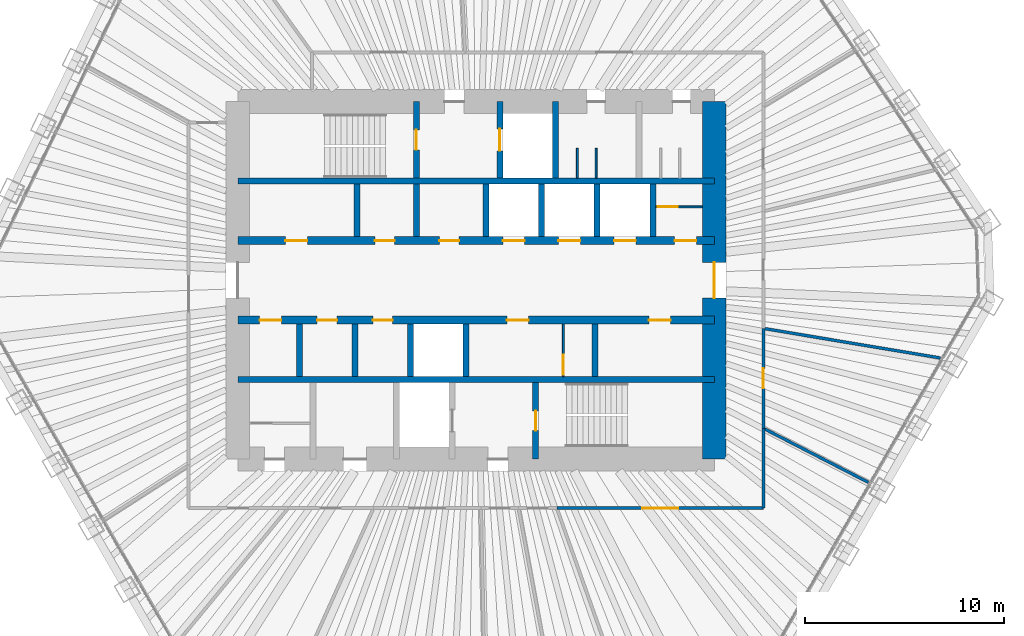
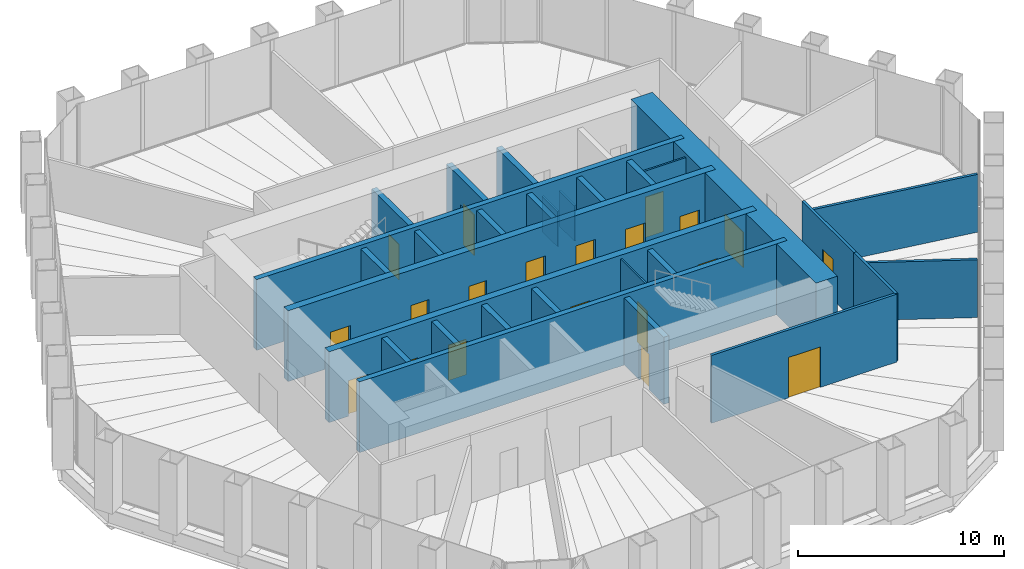
# One storey, part 11 of 13: 29 walls, 20 doors, 20 openings.
"""IFC4 building model written with IfcOpenShell, lengths in metres."""

from ifc_helpers import new_model, si_unit, direction, frame, frame_2d, origin, place, context, subcontext, project, spatial, rectangle, extrude, material, layer, layer_set, type_object, element, fill, save


model = new_model("IFC4")

# Units and contexts
model_context = context("Model", 3, precision=1e-05, world=origin(), true_north=direction((0.0, 1.0)))
body_context = subcontext(model_context, "Body", "Model", "MODEL_VIEW")
ifc_project = project(units=[si_unit("LENGTHUNIT", "METRE"), si_unit("AREAUNIT", "SQUARE_METRE"), si_unit("VOLUMEUNIT", "CUBIC_METRE"), si_unit("PLANEANGLEUNIT", "RADIAN"), si_unit("MASSUNIT", "GRAM", prefix="KILO")], contexts=[model_context])

# Site, building, storey
site_placement = place(None, origin())
site = spatial("IfcSite", under=ifc_project, at=site_placement, CompositionType="ELEMENT")
building_placement = place(site_placement, origin())
building = spatial("IfcBuilding", under=site, at=building_placement, Name="Qingtian Harvest Tower", CompositionType="ELEMENT")
storey_placement = place(building_placement, frame((0.0, 0.0, 230.800048828125)))
storey = spatial("IfcBuildingStorey", under=building, at=storey_placement, Name="L50", CompositionType="ELEMENT", Elevation=230.800048828125)

# Walls
ifc_material_1 = material(Name="Concrete fc' 70 MPa", Category="concrete")
ifc_layer_1 = layer(ifc_material_1, 0.300048828125)
ifc_layer_set_1 = layer_set([ifc_layer_1], Name="Core inner wall RC5 300")
wall_type_1 = type_object("IfcWallType", Name="Core inner wall RC5 300", PredefinedType="SHEAR", material=ifc_layer_set_1)
for number, where, z_axis, x_axis, name in (
    (1, (-12.0, 5.0, 0.0), (0.0, 0.0, 1.0), (1.0, 0.0, 0.0), "Core wall IN5 L50"),
    (2, (-12.0, -5.0, 0.0), (0.0, 0.0, 1.0), (1.0, 0.0, 0.0), "Core wall IS5 L50"),
):
    element("IfcWall", number, at=place(storey_placement, frame(where, z_axis=z_axis, x_axis=x_axis)), inside=storey, type_object=wall_type_1, Name=name, PredefinedType="SHEAR", context=body_context, shape_type="SweptSolid", body=[
        extrude(rectangle(XDim=24.0, YDim=0.300048828125, at=frame_2d((12.0, 0.0))), origin(), (0.0, 0.0, 1.0), 4.199951171875),
    ])

# Wall, openings, doors
ifc_material_2 = material(Name="Concrete fc' 70 MPa", Category="concrete")
ifc_layer_2 = layer(ifc_material_2, 0.39990234375)
ifc_layer_set_2 = layer_set([ifc_layer_2], Name="Core inner web RC6 400")
wall_type_2 = type_object("IfcWallType", Name="Core inner web RC6 400", PredefinedType="SHEAR", material=ifc_layer_set_2)
wall_1_placement = place(storey_placement, frame((-12.0, 2.0, 0.0), z_axis=(0.0, 0.0, 1.0), x_axis=(1.0, 0.0, 0.0)))
wall_1 = element("IfcWall", 3, at=wall_1_placement, inside=storey, type_object=wall_type_2, Name="Core wall IN2 L50", PredefinedType="SHEAR", context=body_context, shape_type="SweptSolid", body=[
    extrude(rectangle(XDim=24.0, YDim=0.39990234375, at=frame_2d((12.0, 0.0))), origin(), (0.0, 0.0, 1.0), 4.199951171875),
])
opening_1_placement = place(wall_1_placement, frame((2.39990234375, 0.0, 0.0)))
opening_1 = element("IfcOpeningElement", 4, at=opening_1_placement, cuts=wall_1, Name="Opening FD4", PredefinedType="OPENING", context=body_context, shape_type="SweptSolid", body=[
    extrude(rectangle(XDim=1.10009765625, YDim=2.10009765625, at=frame_2d((0.550048828125, 1.050048828125))), frame((0.0, 0.2099609375, 0.0), z_axis=(0.0, -1.0, 0.0), x_axis=(1.0, 0.0, 0.0)), (0.0, 0.0, 1.0), 0.419921875),
])
opening_2_placement = place(wall_1_placement, frame((22.0, 0.0, 0.0)))
opening_2 = element("IfcOpeningElement", 5, at=opening_2_placement, cuts=wall_1, Name="Opening FD4", PredefinedType="OPENING", context=body_context, shape_type="SweptSolid", body=[
    extrude(rectangle(XDim=1.10009765625, YDim=2.10009765625, at=frame_2d((0.550048828125, 1.050048828125))), frame((0.0, 0.2099609375, 0.0), z_axis=(0.0, -1.0, 0.0), x_axis=(1.0, 0.0, 0.0)), (0.0, 0.0, 1.0), 0.419921875),
])
opening_3_placement = place(wall_1_placement, frame((10.14990234375, 0.0, 0.0)))
opening_3 = element("IfcOpeningElement", 6, at=opening_3_placement, cuts=wall_1, Name="Opening FD1", PredefinedType="OPENING", context=body_context, shape_type="SweptSolid", body=[
    extrude(rectangle(XDim=1.0, YDim=2.10009765625, at=frame_2d((0.5, 1.050048828125))), frame((0.0, 0.2099609375, 0.0), z_axis=(0.0, -1.0, 0.0), x_axis=(1.0, 0.0, 0.0)), (0.0, 0.0, 1.0), 0.419921875),
])
opening_4_placement = place(wall_1_placement, frame((6.89990234375, 0.0, 0.0)))
opening_4 = element("IfcOpeningElement", 7, at=opening_4_placement, cuts=wall_1, Name="Opening FD1", PredefinedType="OPENING", context=body_context, shape_type="SweptSolid", body=[
    extrude(rectangle(XDim=1.0, YDim=2.10009765625, at=frame_2d((0.5, 1.050048828125))), frame((0.0, 0.2099609375, 0.0), z_axis=(0.0, -1.0, 0.0), x_axis=(1.0, 0.0, 0.0)), (0.0, 0.0, 1.0), 0.419921875),
])
opening_5_placement = place(wall_1_placement, frame((13.35009765625, 0.0, 0.0)))
opening_5 = element("IfcOpeningElement", 8, at=opening_5_placement, cuts=wall_1, Name="Opening LD1", PredefinedType="OPENING", context=body_context, shape_type="SweptSolid", body=[
    extrude(rectangle(XDim=1.10009765625, YDim=2.39990234375, at=frame_2d((0.550048828125, 1.199951171875))), frame((0.0, 0.2099609375, 0.0), z_axis=(0.0, -1.0, 0.0), x_axis=(1.0, 0.0, 0.0)), (0.0, 0.0, 1.0), 0.419921875),
])
opening_6_placement = place(wall_1_placement, frame((16.14990234375, 0.0, 0.0)))
opening_6 = element("IfcOpeningElement", 9, at=opening_6_placement, cuts=wall_1, Name="Opening LD1", PredefinedType="OPENING", context=body_context, shape_type="SweptSolid", body=[
    extrude(rectangle(XDim=1.10009765625, YDim=2.39990234375, at=frame_2d((0.550048828125, 1.199951171875))), frame((0.0, 0.2099609375, 0.0), z_axis=(0.0, -1.0, 0.0), x_axis=(1.0, 0.0, 0.0)), (0.0, 0.0, 1.0), 0.419921875),
])
opening_7_placement = place(wall_1_placement, frame((18.949951171875, 0.0, 0.0)))
opening_7 = element("IfcOpeningElement", 10, at=opening_7_placement, cuts=wall_1, Name="Opening LD1", PredefinedType="OPENING", context=body_context, shape_type="SweptSolid", body=[
    extrude(rectangle(XDim=1.10009765625, YDim=2.39990234375, at=frame_2d((0.550048828125, 1.199951171875))), frame((0.0, 0.2099609375, 0.0), z_axis=(0.0, -1.0, 0.0), x_axis=(1.0, 0.0, 0.0)), (0.0, 0.0, 1.0), 0.419921875),
])
ifc_material_3 = material(Name="Steel-faced door leaf", Category="steel")
door_type_1 = type_object("IfcDoorType", Name="Fire door FD1 single 1 HR", OperationType="SINGLE_SWING_LEFT", PredefinedType="DOOR", material=ifc_material_3)
door_1_placement = place(opening_3_placement, origin())
door_1 = element("IfcDoor", 11, at=door_1_placement, inside=storey, type_object=door_type_1, Name="STA door L50", OperationType="SINGLE_SWING_LEFT", OverallHeight=2.10009765625, OverallWidth=1.0, PredefinedType="DOOR", context=body_context, shape_type="SweptSolid", body=[
    extrude(rectangle(XDim=1.0, YDim=2.10009765625, at=frame_2d((0.5, 1.050048828125))), frame((0.0, 0.02490234375, 0.0), z_axis=(0.0, -1.0, 0.0), x_axis=(1.0, 0.0, 0.0)), (0.0, 0.0, 1.0), 0.050048828125),
])
fill(opening_3, door_1)
door_2_placement = place(opening_4_placement, origin())
door_2 = element("IfcDoor", 12, at=door_2_placement, inside=storey, type_object=door_type_1, Name="Linen store door L50", OperationType="SINGLE_SWING_LEFT", OverallHeight=2.10009765625, OverallWidth=1.0, PredefinedType="DOOR", context=body_context, shape_type="SweptSolid", body=[
    extrude(rectangle(XDim=1.0, YDim=2.10009765625, at=frame_2d((0.5, 1.050048828125))), frame((0.0, 0.02490234375, 0.0), z_axis=(0.0, -1.0, 0.0), x_axis=(1.0, 0.0, 0.0)), (0.0, 0.0, 1.0), 0.050048828125),
])
fill(opening_4, door_2)
ifc_material_4 = material(Name="Steel-faced door leaf", Category="steel")
door_type_2 = type_object("IfcDoorType", Name="Fire door FD4 single 2 HR", OperationType="SINGLE_SWING_LEFT", PredefinedType="DOOR", material=ifc_material_4)
door_3_placement = place(opening_1_placement, origin())
door_3 = element("IfcDoor", 13, at=door_3_placement, inside=storey, type_object=door_type_2, Name="RA door L50", OperationType="SINGLE_SWING_LEFT", OverallHeight=2.10009765625, OverallWidth=1.10009765625, PredefinedType="DOOR", context=body_context, shape_type="SweptSolid", body=[
    extrude(rectangle(XDim=1.10009765625, YDim=2.10009765625, at=frame_2d((0.550048828125, 1.050048828125))), frame((0.0, 0.02490234375, 0.0), z_axis=(0.0, -1.0, 0.0), x_axis=(1.0, 0.0, 0.0)), (0.0, 0.0, 1.0), 0.050048828125),
])
fill(opening_1, door_3)
door_4_placement = place(opening_2_placement, origin())
door_4 = element("IfcDoor", 14, at=door_4_placement, inside=storey, type_object=door_type_2, Name="AHU door L50", OperationType="SINGLE_SWING_RIGHT", OverallHeight=2.10009765625, OverallWidth=1.10009765625, PredefinedType="DOOR", context=body_context, shape_type="SweptSolid", body=[
    extrude(rectangle(XDim=1.10009765625, YDim=2.10009765625, at=frame_2d((0.550048828125, 1.050048828125))), frame((0.0, 0.02490234375, 0.0), z_axis=(0.0, -1.0, 0.0), x_axis=(1.0, 0.0, 0.0)), (0.0, 0.0, 1.0), 0.050048828125),
])
fill(opening_2, door_4)
ifc_material_5 = material(Name="Stainless steel lift landing door", Category="steel")
door_type_3 = type_object("IfcDoorType", Name="Lift landing door LD1 1 HR", OperationType="DOUBLE_DOOR_SLIDING", PredefinedType="DOOR", material=ifc_material_5)
door_5_placement = place(opening_5_placement, origin())
door_5 = element("IfcDoor", 15, at=door_5_placement, inside=storey, type_object=door_type_3, Name="PLC1 landing door L50", OperationType="DOUBLE_DOOR_SLIDING", OverallHeight=2.39990234375, OverallWidth=1.10009765625, PredefinedType="DOOR", context=body_context, shape_type="SweptSolid", body=[
    extrude(rectangle(XDim=1.10009765625, YDim=2.39990234375, at=frame_2d((0.550048828125, 1.199951171875))), frame((0.0, 0.02490234375, 0.0), z_axis=(0.0, -1.0, 0.0), x_axis=(1.0, 0.0, 0.0)), (0.0, 0.0, 1.0), 0.050048828125),
])
fill(opening_5, door_5)
door_6_placement = place(opening_6_placement, origin())
door_6 = element("IfcDoor", 16, at=door_6_placement, inside=storey, type_object=door_type_3, Name="PLC2 landing door L50", OperationType="DOUBLE_DOOR_SLIDING", OverallHeight=2.39990234375, OverallWidth=1.10009765625, PredefinedType="DOOR", context=body_context, shape_type="SweptSolid", body=[
    extrude(rectangle(XDim=1.10009765625, YDim=2.39990234375, at=frame_2d((0.550048828125, 1.199951171875))), frame((0.0, 0.02490234375, 0.0), z_axis=(0.0, -1.0, 0.0), x_axis=(1.0, 0.0, 0.0)), (0.0, 0.0, 1.0), 0.050048828125),
])
fill(opening_6, door_6)
door_7_placement = place(opening_7_placement, origin())
door_7 = element("IfcDoor", 17, at=door_7_placement, inside=storey, type_object=door_type_3, Name="PLC3 landing door L50", OperationType="DOUBLE_DOOR_SLIDING", OverallHeight=2.39990234375, OverallWidth=1.10009765625, PredefinedType="DOOR", context=body_context, shape_type="SweptSolid", body=[
    extrude(rectangle(XDim=1.10009765625, YDim=2.39990234375, at=frame_2d((0.550048828125, 1.199951171875))), frame((0.0, 0.02490234375, 0.0), z_axis=(0.0, -1.0, 0.0), x_axis=(1.0, 0.0, 0.0)), (0.0, 0.0, 1.0), 0.050048828125),
])
fill(opening_7, door_7)

wall_2_placement = place(storey_placement, frame((-12.0, -2.0, 0.0), z_axis=(0.0, 0.0, 1.0), x_axis=(1.0, 0.0, 0.0)))
wall_2 = element("IfcWall", 18, at=wall_2_placement, inside=storey, type_object=wall_type_2, Name="Core wall IS2 L50", PredefinedType="SHEAR", context=body_context, shape_type="SweptSolid", body=[
    extrude(rectangle(XDim=24.0, YDim=0.39990234375, at=frame_2d((12.0, 0.0))), origin(), (0.0, 0.0, 1.0), 4.199951171875),
])
opening_8_placement = place(wall_2_placement, frame((1.10009765625, 0.0, 0.0)))
opening_8 = element("IfcOpeningElement", 19, at=opening_8_placement, cuts=wall_2, Name="Opening FD4", PredefinedType="OPENING", context=body_context, shape_type="SweptSolid", body=[
    extrude(rectangle(XDim=1.10009765625, YDim=2.10009765625, at=frame_2d((0.550048828125, 1.050048828125))), frame((0.0, 0.2099609375, 0.0), z_axis=(0.0, -1.0, 0.0), x_axis=(1.0, 0.0, 0.0)), (0.0, 0.0, 1.0), 0.419921875),
])
opening_9_placement = place(wall_2_placement, frame((13.550048828125, 0.0, 0.0)))
opening_9 = element("IfcOpeningElement", 20, at=opening_9_placement, cuts=wall_2, Name="Opening FD4", PredefinedType="OPENING", context=body_context, shape_type="SweptSolid", body=[
    extrude(rectangle(XDim=1.10009765625, YDim=2.10009765625, at=frame_2d((0.550048828125, 1.050048828125))), frame((0.0, 0.2099609375, 0.0), z_axis=(0.0, -1.0, 0.0), x_axis=(1.0, 0.0, 0.0)), (0.0, 0.0, 1.0), 0.419921875),
])
opening_10_placement = place(wall_2_placement, frame((20.699951171875, 0.0, 0.0)))
opening_10 = element("IfcOpeningElement", 21, at=opening_10_placement, cuts=wall_2, Name="Opening FD4", PredefinedType="OPENING", context=body_context, shape_type="SweptSolid", body=[
    extrude(rectangle(XDim=1.10009765625, YDim=2.10009765625, at=frame_2d((0.550048828125, 1.050048828125))), frame((0.0, 0.2099609375, 0.0), z_axis=(0.0, -1.0, 0.0), x_axis=(1.0, 0.0, 0.0)), (0.0, 0.0, 1.0), 0.419921875),
])
opening_11_placement = place(wall_2_placement, frame((4.0, 0.0, 0.0)))
opening_11 = element("IfcOpeningElement", 22, at=opening_11_placement, cuts=wall_2, Name="Opening FD1", PredefinedType="OPENING", context=body_context, shape_type="SweptSolid", body=[
    extrude(rectangle(XDim=1.0, YDim=2.10009765625, at=frame_2d((0.5, 1.050048828125))), frame((0.0, 0.2099609375, 0.0), z_axis=(0.0, -1.0, 0.0), x_axis=(1.0, 0.0, 0.0)), (0.0, 0.0, 1.0), 0.419921875),
])
opening_12_placement = place(wall_2_placement, frame((6.800048828125, 0.0, 0.0)))
opening_12 = element("IfcOpeningElement", 23, at=opening_12_placement, cuts=wall_2, Name="Opening FD1", PredefinedType="OPENING", context=body_context, shape_type="SweptSolid", body=[
    extrude(rectangle(XDim=1.0, YDim=2.10009765625, at=frame_2d((0.5, 1.050048828125))), frame((0.0, 0.2099609375, 0.0), z_axis=(0.0, -1.0, 0.0), x_axis=(1.0, 0.0, 0.0)), (0.0, 0.0, 1.0), 0.419921875),
])
door_8_placement = place(opening_11_placement, origin())
door_8 = element("IfcDoor", 24, at=door_8_placement, inside=storey, type_object=door_type_1, Name="Archive store door L50", OperationType="SINGLE_SWING_RIGHT", OverallHeight=2.10009765625, OverallWidth=1.0, PredefinedType="DOOR", context=body_context, shape_type="SweptSolid", body=[
    extrude(rectangle(XDim=1.0, YDim=2.10009765625, at=frame_2d((0.5, 1.050048828125))), frame((0.0, 0.02490234375, 0.0), z_axis=(0.0, -1.0, 0.0), x_axis=(1.0, 0.0, 0.0)), (0.0, 0.0, 1.0), 0.050048828125),
])
fill(opening_11, door_8)
door_9_placement = place(opening_12_placement, origin())
door_9 = element("IfcDoor", 25, at=door_9_placement, inside=storey, type_object=door_type_1, Name="Staff WC door L50", OperationType="SINGLE_SWING_RIGHT", OverallHeight=2.10009765625, OverallWidth=1.0, PredefinedType="DOOR", context=body_context, shape_type="SweptSolid", body=[
    extrude(rectangle(XDim=1.0, YDim=2.10009765625, at=frame_2d((0.5, 1.050048828125))), frame((0.0, 0.02490234375, 0.0), z_axis=(0.0, -1.0, 0.0), x_axis=(1.0, 0.0, 0.0)), (0.0, 0.0, 1.0), 0.050048828125),
])
fill(opening_12, door_9)
door_10_placement = place(opening_8_placement, origin())
door_10 = element("IfcDoor", 26, at=door_10_placement, inside=storey, type_object=door_type_2, Name="RB door L50", OperationType="SINGLE_SWING_RIGHT", OverallHeight=2.10009765625, OverallWidth=1.10009765625, PredefinedType="DOOR", context=body_context, shape_type="SweptSolid", body=[
    extrude(rectangle(XDim=1.10009765625, YDim=2.10009765625, at=frame_2d((0.550048828125, 1.050048828125))), frame((0.0, 0.02490234375, 0.0), z_axis=(0.0, -1.0, 0.0), x_axis=(1.0, 0.0, 0.0)), (0.0, 0.0, 1.0), 0.050048828125),
])
fill(opening_8, door_10)
door_11_placement = place(opening_9_placement, origin())
door_11 = element("IfcDoor", 27, at=door_11_placement, inside=storey, type_object=door_type_2, Name="ELEC door L50", OperationType="SINGLE_SWING_LEFT", OverallHeight=2.10009765625, OverallWidth=1.10009765625, PredefinedType="DOOR", context=body_context, shape_type="SweptSolid", body=[
    extrude(rectangle(XDim=1.10009765625, YDim=2.10009765625, at=frame_2d((0.550048828125, 1.050048828125))), frame((0.0, 0.02490234375, 0.0), z_axis=(0.0, -1.0, 0.0), x_axis=(1.0, 0.0, 0.0)), (0.0, 0.0, 1.0), 0.050048828125),
])
fill(opening_9, door_11)
door_12_placement = place(opening_10_placement, origin())
door_12 = element("IfcDoor", 28, at=door_12_placement, inside=storey, type_object=door_type_2, Name="DUCT door L50", OperationType="SINGLE_SWING_LEFT", OverallHeight=2.10009765625, OverallWidth=1.10009765625, PredefinedType="DOOR", context=body_context, shape_type="SweptSolid", body=[
    extrude(rectangle(XDim=1.10009765625, YDim=2.10009765625, at=frame_2d((0.550048828125, 1.050048828125))), frame((0.0, 0.02490234375, 0.0), z_axis=(0.0, -1.0, 0.0), x_axis=(1.0, 0.0, 0.0)), (0.0, 0.0, 1.0), 0.050048828125),
])
fill(opening_10, door_12)

# Wall, opening, door
ifc_material_6 = material(Name="Precast concrete shaft panel", Category="concrete")
ifc_layer_3 = layer(ifc_material_6, 0.300048828125)
ifc_layer_set_3 = layer_set([ifc_layer_3], Name="Core shaft partition SW1 300")
wall_type_3 = type_object("IfcWallType", Name="Core shaft partition SW1 300", PredefinedType="PARTITIONING", material=ifc_layer_set_3)
wall_3_placement = place(storey_placement, frame((-3.0, 5.14990234375, 0.0), z_axis=(0.0, 0.0, 1.0), x_axis=(0.0, 1.0, 0.0)))
wall_3 = element("IfcWall", 29, at=wall_3_placement, inside=storey, type_object=wall_type_3, Name="Core shaft partition XN1 L50", PredefinedType="PARTITIONING", context=body_context, shape_type="SweptSolid", body=[
    extrude(rectangle(XDim=3.85009765625, YDim=0.300048828125, at=frame_2d((1.925048828125, 0.0))), origin(), (0.0, 0.0, 1.0), 3.97998046875),
])
opening_13_placement = place(wall_3_placement, frame((1.425048828125, 0.0, 0.0)))
opening_13 = element("IfcOpeningElement", 30, at=opening_13_placement, cuts=wall_3, Name="Opening FD1", PredefinedType="OPENING", context=body_context, shape_type="SweptSolid", body=[
    extrude(rectangle(XDim=1.0, YDim=2.10009765625, at=frame_2d((0.5, 1.050048828125))), frame((0.0, 0.159912109375, 0.0), z_axis=(0.0, -1.0, 0.0), x_axis=(1.0, 0.0, 0.0)), (0.0, 0.0, 1.0), 0.320068359375),
])
door_13_placement = place(opening_13_placement, origin())
door_13 = element("IfcDoor", 31, at=door_13_placement, inside=storey, type_object=door_type_1, Name="S1 door L50", OperationType="SINGLE_SWING_RIGHT", OverallHeight=2.10009765625, OverallWidth=1.0, PredefinedType="DOOR", context=body_context, shape_type="SweptSolid", body=[
    extrude(rectangle(XDim=1.0, YDim=2.10009765625, at=frame_2d((0.5, 1.050048828125))), frame((0.0, 0.02490234375, 0.0), z_axis=(0.0, -1.0, 0.0), x_axis=(1.0, 0.0, 0.0)), (0.0, 0.0, 1.0), 0.050048828125),
])
fill(opening_13, door_13)

wall_4_placement = place(storey_placement, frame((1.199951171875, 5.14990234375, 0.0), z_axis=(0.0, 0.0, 1.0), x_axis=(0.0, 1.0, 0.0)))
wall_4 = element("IfcWall", 32, at=wall_4_placement, inside=storey, type_object=wall_type_3, Name="Core shaft partition XN2 L50", PredefinedType="PARTITIONING", context=body_context, shape_type="SweptSolid", body=[
    extrude(rectangle(XDim=3.85009765625, YDim=0.300048828125, at=frame_2d((1.925048828125, 0.0))), origin(), (0.0, 0.0, 1.0), 3.97998046875),
])
opening_14_placement = place(wall_4_placement, frame((1.375, 0.0, 0.0)))
opening_14 = element("IfcOpeningElement", 33, at=opening_14_placement, cuts=wall_4, Name="Opening LD1", PredefinedType="OPENING", context=body_context, shape_type="SweptSolid", body=[
    extrude(rectangle(XDim=1.10009765625, YDim=2.39990234375, at=frame_2d((0.550048828125, 1.199951171875))), frame((0.0, 0.159912109375, 0.0), z_axis=(0.0, -1.0, 0.0), x_axis=(1.0, 0.0, 0.0)), (0.0, 0.0, 1.0), 0.320068359375),
])
door_14_placement = place(opening_14_placement, origin())
door_14 = element("IfcDoor", 34, at=door_14_placement, inside=storey, type_object=door_type_3, Name="FL1 landing door L50", OperationType="DOUBLE_DOOR_SLIDING", OverallHeight=2.39990234375, OverallWidth=1.10009765625, PredefinedType="DOOR", context=body_context, shape_type="SweptSolid", body=[
    extrude(rectangle(XDim=1.10009765625, YDim=2.39990234375, at=frame_2d((0.550048828125, 1.199951171875))), frame((0.0, 0.02490234375, 0.0), z_axis=(0.0, -1.0, 0.0), x_axis=(1.0, 0.0, 0.0)), (0.0, 0.0, 1.0), 0.050048828125),
])
fill(opening_14, door_14)

# Walls
wall_5_placement = place(storey_placement, frame((4.0, 5.14990234375, 0.0), z_axis=(0.0, 0.0, 1.0), x_axis=(0.0, 1.0, 0.0)))
element("IfcWall", 35, at=wall_5_placement, inside=storey, type_object=wall_type_3, Name="Core shaft partition XN3 L50", PredefinedType="PARTITIONING", context=body_context, shape_type="SweptSolid", body=[
    extrude(rectangle(XDim=3.85009765625, YDim=0.300048828125, at=frame_2d((1.925048828125, 0.0))), origin(), (0.0, 0.0, 1.0), 3.97998046875),
])
for number, where, z_axis, x_axis, name in (
    (36, (-6.0, 2.199951171875, 0.0), (0.0, 0.0, 1.0), (0.0, 1.0, 0.0), "Core shaft partition XA1 L50"),
    (37, (-3.0, 2.199951171875, 0.0), (0.0, 0.0, 1.0), (0.0, 1.0, 0.0), "Core shaft partition XA2 L50"),
    (38, (0.5, 2.199951171875, 0.0), (0.0, 0.0, 1.0), (0.0, 1.0, 0.0), "Core shaft partition XA3 L50"),
    (39, (3.300048828125, 2.199951171875, 0.0), (0.0, 0.0, 1.0), (0.0, 1.0, 0.0), "Core shaft partition XA4 L50"),
    (40, (6.10009765625, 2.199951171875, 0.0), (0.0, 0.0, 1.0), (0.0, 1.0, 0.0), "Core shaft partition XA5 L50"),
    (41, (8.89990234375, 2.199951171875, 0.0), (0.0, 0.0, 1.0), (0.0, 1.0, 0.0), "Core shaft partition XA6 L50"),
    (42, (-8.89990234375, -4.85009765625, 0.0), (0.0, 0.0, 1.0), (0.0, 1.0, 0.0), "Core shaft partition XB1 L50"),
    (43, (-6.10009765625, -4.85009765625, 0.0), (0.0, 0.0, 1.0), (0.0, 1.0, 0.0), "Core shaft partition XB2 L50"),
    (44, (-3.300048828125, -4.85009765625, 0.0), (0.0, 0.0, 1.0), (0.0, 1.0, 0.0), "Core shaft partition XB3 L50"),
    (45, (-0.5, -4.85009765625, 0.0), (0.0, 0.0, 1.0), (0.0, 1.0, 0.0), "Core shaft partition XB4 L50"),
    (46, (6.0, -4.85009765625, 0.0), (0.0, 0.0, 1.0), (0.0, 1.0, 0.0), "Core shaft partition XB5 L50"),
):
    element("IfcWall", number, at=place(storey_placement, frame(where, z_axis=z_axis, x_axis=x_axis)), inside=storey, type_object=wall_type_3, Name=name, PredefinedType="PARTITIONING", context=body_context, shape_type="SweptSolid", body=[
        extrude(rectangle(XDim=2.650146484375, YDim=0.300048828125, at=frame_2d((1.3251953125, 0.0))), origin(), (0.0, 0.0, 1.0), 3.97998046875),
    ])

# Wall, opening, door
wall_6_placement = place(storey_placement, frame((3.0, -9.0, 0.0), z_axis=(0.0, 0.0, 1.0), x_axis=(0.0, 1.0, 0.0)))
wall_6 = element("IfcWall", 47, at=wall_6_placement, inside=storey, type_object=wall_type_3, Name="Core shaft partition XS4 L50", PredefinedType="PARTITIONING", context=body_context, shape_type="SweptSolid", body=[
    extrude(rectangle(XDim=3.85009765625, YDim=0.300048828125, at=frame_2d((1.925048828125, 0.0))), origin(), (0.0, 0.0, 1.0), 3.97998046875),
])
opening_15_placement = place(wall_6_placement, frame((1.425048828125, 0.0, 0.0)))
opening_15 = element("IfcOpeningElement", 48, at=opening_15_placement, cuts=wall_6, Name="Opening FD1", PredefinedType="OPENING", context=body_context, shape_type="SweptSolid", body=[
    extrude(rectangle(XDim=1.0, YDim=2.10009765625, at=frame_2d((0.5, 1.050048828125))), frame((0.0, 0.159912109375, 0.0), z_axis=(0.0, -1.0, 0.0), x_axis=(1.0, 0.0, 0.0)), (0.0, 0.0, 1.0), 0.320068359375),
])
door_15_placement = place(opening_15_placement, origin())
door_15 = element("IfcDoor", 49, at=door_15_placement, inside=storey, type_object=door_type_1, Name="S2 door L50", OperationType="SINGLE_SWING_RIGHT", OverallHeight=2.10009765625, OverallWidth=1.0, PredefinedType="DOOR", context=body_context, shape_type="SweptSolid", body=[
    extrude(rectangle(XDim=1.0, YDim=2.10009765625, at=frame_2d((0.5, 1.050048828125))), frame((0.0, 0.02490234375, 0.0), z_axis=(0.0, -1.0, 0.0), x_axis=(1.0, 0.0, 0.0)), (0.0, 0.0, 1.0), 0.050048828125),
])
fill(opening_15, door_15)

ifc_material_7 = material(Name="Concrete fc' 70 MPa", Category="concrete")
ifc_layer_4 = layer(ifc_material_7, 1.199951171875)
ifc_layer_set_4 = layer_set([ifc_layer_4], Name="Core wall RC2 1200")
wall_type_4 = type_object("IfcWallType", Name="Core wall RC2 1200", PredefinedType="SHEAR", material=ifc_layer_set_4)
wall_7_placement = place(storey_placement, frame((12.0, -9.0, 0.0), z_axis=(0.0, 0.0, 1.0), x_axis=(0.0, 1.0, 0.0)))
wall_7 = element("IfcWall", 50, at=wall_7_placement, inside=storey, type_object=wall_type_4, Name="Core wall CE L50", PredefinedType="SHEAR", context=body_context, shape_type="SweptSolid", body=[
    extrude(rectangle(XDim=18.0, YDim=1.199951171875, at=frame_2d((9.0, 0.0))), origin(), (0.0, 0.0, 1.0), 4.199951171875),
])
opening_16_placement = place(wall_7_placement, frame((8.10009765625, 0.0, 0.0)))
opening_16 = element("IfcOpeningElement", 51, at=opening_16_placement, cuts=wall_7, Name="Opening FD2", PredefinedType="OPENING", context=body_context, shape_type="SweptSolid", body=[
    extrude(rectangle(XDim=1.800048828125, YDim=2.10009765625, at=frame_2d((0.89990234375, 1.050048828125))), frame((0.0, 0.60986328125, 0.0), z_axis=(0.0, -1.0, 0.0), x_axis=(1.0, 0.0, 0.0)), (0.0, 0.0, 1.0), 1.219970703125),
])
ifc_material_8 = material(Name="Steel-faced door leaf", Category="steel")
door_type_4 = type_object("IfcDoorType", Name="Fire door FD2 double 1 HR", OperationType="DOUBLE_DOOR_DOUBLE_SWING", PredefinedType="DOOR", material=ifc_material_8)
door_16_placement = place(opening_16_placement, origin())
door_16 = element("IfcDoor", 52, at=door_16_placement, inside=storey, type_object=door_type_4, Name="LOBBY-E door L50", OperationType="DOUBLE_DOOR_DOUBLE_SWING", OverallHeight=2.10009765625, OverallWidth=1.800048828125, PredefinedType="DOOR", context=body_context, shape_type="SweptSolid", body=[
    extrude(rectangle(XDim=1.800048828125, YDim=2.10009765625, at=frame_2d((0.89990234375, 1.050048828125))), frame((0.0, 0.02490234375, 0.0), z_axis=(0.0, -1.0, 0.0), x_axis=(1.0, 0.0, 0.0)), (0.0, 0.0, 1.0), 0.050048828125),
])
fill(opening_16, door_16)

# Wall
ifc_material_9 = material(Name="Gypsum board on steel studs", Category="steel")
ifc_layer_5 = layer(ifc_material_9, 0.14990234375)
ifc_layer_set_5 = layer_set([ifc_layer_5], Name="Partition PT1 150")
wall_type_5 = type_object("IfcWallType", Name="Partition PT1 150", PredefinedType="PARTITIONING", material=ifc_layer_set_5)
wall_8_placement = place(storey_placement, frame((23.383056640625, -3.912109375, 0.0), z_axis=(0.0, 0.0, 1.0), x_axis=(-0.986293651891, 0.164999491631, 0.0)))
element("IfcWall", 53, at=wall_8_placement, inside=storey, type_object=wall_type_5, Name="Private office wall L50", PredefinedType="PARTITIONING", context=body_context, shape_type="SweptSolid", body=[
    extrude(rectangle(XDim=9.03173828125, YDim=0.14990234375, at=frame_2d((4.515869140625, 0.0))), origin(), (0.0, 0.0, 1.0), 3.429931640625),
])

# Wall, opening, door
wall_9_placement = place(storey_placement, frame((14.47509765625, -2.421875, 0.0), z_axis=(0.0, 0.0, 1.0), x_axis=(0.0, -1.0, 0.0)))
wall_9 = element("IfcWall", 54, at=wall_9_placement, inside=storey, type_object=wall_type_5, Name="Private office wall L50", PredefinedType="PARTITIONING", context=body_context, shape_type="SweptSolid", body=[
    extrude(rectangle(XDim=5.033203125, YDim=0.14990234375, at=frame_2d((2.5166015625, 0.0))), origin(), (0.0, 0.0, 1.0), 4.030029296875),
])
opening_17_placement = place(wall_9_placement, frame((2.0166015625, 0.0, 0.0)))
opening_17 = element("IfcOpeningElement", 55, at=opening_17_placement, cuts=wall_9, Name="Opening D2", PredefinedType="OPENING", context=body_context, shape_type="SweptSolid", body=[
    extrude(rectangle(XDim=1.0, YDim=2.39990234375, at=frame_2d((0.5, 1.199951171875))), frame((0.0, 0.0849609375, 0.0), z_axis=(0.0, -1.0, 0.0), x_axis=(1.0, 0.0, 0.0)), (0.0, 0.0, 1.0), 0.169921875),
])
ifc_material_10 = material(Name="Laminated timber door leaf", Category="wood")
door_type_5 = type_object("IfcDoorType", Name="Room door D2 single", OperationType="SINGLE_SWING_LEFT", PredefinedType="DOOR", material=ifc_material_10)
door_17_placement = place(opening_17_placement, origin())
door_17 = element("IfcDoor", 56, at=door_17_placement, inside=storey, type_object=door_type_5, Name="Private office door L50", OperationType="SINGLE_SWING_RIGHT", OverallHeight=2.39990234375, OverallWidth=1.0, PredefinedType="DOOR", context=body_context, shape_type="SweptSolid", body=[
    extrude(rectangle(XDim=1.0, YDim=2.39990234375, at=frame_2d((0.5, 1.199951171875))), frame((0.0, 0.02490234375, 0.0), z_axis=(0.0, -1.0, 0.0), x_axis=(1.0, 0.0, 0.0)), (0.0, 0.0, 1.0), 0.050048828125),
])
fill(opening_17, door_17)

# Walls
wall_10_placement = place(storey_placement, frame((19.759033203125, -10.176513671875, 0.0), z_axis=(0.0, 0.0, 1.0), x_axis=(-0.889015092721, 0.457877893017, 0.0)))
element("IfcWall", 57, at=wall_10_placement, inside=storey, type_object=wall_type_5, Name="Office suite wall L50", PredefinedType="PARTITIONING", context=body_context, shape_type="SweptSolid", body=[
    extrude(rectangle(XDim=5.943603515625, YDim=0.14990234375, at=frame_2d((2.9716796875, 0.0))), origin(), (0.0, 0.0, 1.0), 3.429931640625),
])
wall_11_placement = place(storey_placement, frame((14.47509765625, -7.455078125, 0.0), z_axis=(0.0, 0.0, 1.0), x_axis=(0.0, -1.0, 0.0)))
element("IfcWall", 58, at=wall_11_placement, inside=storey, type_object=wall_type_5, Name="Office suite wall L50", PredefinedType="PARTITIONING", context=body_context, shape_type="SweptSolid", body=[
    extrude(rectangle(XDim=4.02001953125, YDim=0.14990234375, at=frame_2d((2.010009765625, 0.0))), origin(), (0.0, 0.0, 1.0), 4.030029296875),
])

# Wall, opening, door
wall_12_placement = place(storey_placement, frame((14.47509765625, -11.47509765625, 0.0), z_axis=(0.0, 0.0, 1.0), x_axis=(-1.0, 0.0, 0.0)))
wall_12 = element("IfcWall", 59, at=wall_12_placement, inside=storey, type_object=wall_type_5, Name="Office suite wall L50", PredefinedType="PARTITIONING", context=body_context, shape_type="SweptSolid", body=[
    extrude(rectangle(XDim=10.405517578125, YDim=0.14990234375, at=frame_2d((5.20263671875, 0.0))), origin(), (0.0, 0.0, 1.0), 4.030029296875),
])
opening_18_placement = place(wall_12_placement, frame((4.302734375, 0.0, 0.0)))
opening_18 = element("IfcOpeningElement", 60, at=opening_18_placement, cuts=wall_12, Name="Opening D3", PredefinedType="OPENING", context=body_context, shape_type="SweptSolid", body=[
    extrude(rectangle(XDim=1.800048828125, YDim=2.39990234375, at=frame_2d((0.89990234375, 1.199951171875))), frame((0.0, 0.0849609375, 0.0), z_axis=(0.0, -1.0, 0.0), x_axis=(1.0, 0.0, 0.0)), (0.0, 0.0, 1.0), 0.169921875),
])
ifc_material_11 = material(Name="Laminated timber door leaf", Category="wood")
door_type_6 = type_object("IfcDoorType", Name="Room door D3 double", OperationType="DOUBLE_DOOR_DOUBLE_SWING", PredefinedType="DOOR", material=ifc_material_11)
door_18_placement = place(opening_18_placement, origin())
door_18 = element("IfcDoor", 61, at=door_18_placement, inside=storey, type_object=door_type_6, Name="Office suite door L50", OperationType="DOUBLE_DOOR_DOUBLE_SWING", OverallHeight=2.39990234375, OverallWidth=1.800048828125, PredefinedType="DOOR", context=body_context, shape_type="SweptSolid", body=[
    extrude(rectangle(XDim=1.800048828125, YDim=2.39990234375, at=frame_2d((0.89990234375, 1.199951171875))), frame((0.0, 0.02490234375, 0.0), z_axis=(0.0, -1.0, 0.0), x_axis=(1.0, 0.0, 0.0)), (0.0, 0.0, 1.0), 0.050048828125),
])
fill(opening_18, door_18)

ifc_material_12 = material(Name="Concrete block partition", Category="concrete")
ifc_layer_6 = layer(ifc_material_12, 0.10009765625)
ifc_layer_set_6 = layer_set([ifc_layer_6], Name="Store partition PT3 100")
wall_type_6 = type_object("IfcWallType", Name="Store partition PT3 100", PredefinedType="PARTITIONING", material=ifc_layer_set_6)
wall_13_placement = place(storey_placement, frame((4.39990234375, -4.85009765625, 0.0), z_axis=(0.0, 0.0, 1.0), x_axis=(0.0, 1.0, 0.0)))
wall_13 = element("IfcWall", 62, at=wall_13_placement, inside=storey, type_object=wall_type_6, Name="Comms room wall L50", PredefinedType="PARTITIONING", context=body_context, shape_type="SweptSolid", body=[
    extrude(rectangle(XDim=2.650146484375, YDim=0.10009765625, at=frame_2d((1.3251953125, 0.0))), origin(), (0.0, 0.0, 1.0), 3.97998046875),
])
opening_19_placement = place(wall_13_placement, frame((0.10009765625, 0.0, 0.0)))
opening_19 = element("IfcOpeningElement", 63, at=opening_19_placement, cuts=wall_13, Name="Opening D2", PredefinedType="OPENING", context=body_context, shape_type="SweptSolid", body=[
    extrude(rectangle(XDim=1.0, YDim=2.39990234375, at=frame_2d((0.5, 1.199951171875))), frame((0.0, 0.06005859375, 0.0), z_axis=(0.0, -1.0, 0.0), x_axis=(1.0, 0.0, 0.0)), (0.0, 0.0, 1.0), 0.1201171875),
])
door_19_placement = place(opening_19_placement, origin())
door_19 = element("IfcDoor", 64, at=door_19_placement, inside=storey, type_object=door_type_5, Name="Comms room door L50", OperationType="SINGLE_SWING_LEFT", OverallHeight=2.39990234375, OverallWidth=1.0, PredefinedType="DOOR", context=body_context, shape_type="SweptSolid", body=[
    extrude(rectangle(XDim=1.0, YDim=2.39990234375, at=frame_2d((0.5, 1.199951171875))), frame((0.0, 0.02490234375, 0.0), z_axis=(0.0, -1.0, 0.0), x_axis=(1.0, 0.0, 0.0)), (0.0, 0.0, 1.0), 0.050048828125),
])
fill(opening_19, door_19)

wall_14_placement = place(storey_placement, frame((9.050048828125, 3.699951171875, 0.0), z_axis=(0.0, 0.0, 1.0), x_axis=(1.0, 0.0, 0.0)))
wall_14 = element("IfcWall", 65, at=wall_14_placement, inside=storey, type_object=wall_type_6, Name="Filter plant room wall L50", PredefinedType="PARTITIONING", context=body_context, shape_type="SweptSolid", body=[
    extrude(rectangle(XDim=2.349853515625, YDim=0.10009765625, at=frame_2d((1.1748046875, 0.0))), origin(), (0.0, 0.0, 1.0), 3.97998046875),
])
opening_20_placement = place(wall_14_placement, frame((0.10009765625, 0.0, 0.0)))
opening_20 = element("IfcOpeningElement", 66, at=opening_20_placement, cuts=wall_14, Name="Opening D2", PredefinedType="OPENING", context=body_context, shape_type="SweptSolid", body=[
    extrude(rectangle(XDim=1.0, YDim=2.39990234375, at=frame_2d((0.5, 1.199951171875))), frame((0.0, 0.06005859375, 0.0), z_axis=(0.0, -1.0, 0.0), x_axis=(1.0, 0.0, 0.0)), (0.0, 0.0, 1.0), 0.1201171875),
])
door_20_placement = place(opening_20_placement, origin())
door_20 = element("IfcDoor", 67, at=door_20_placement, inside=storey, type_object=door_type_5, Name="Filter plant room door L50", OperationType="SINGLE_SWING_RIGHT", OverallHeight=2.39990234375, OverallWidth=1.0, PredefinedType="DOOR", context=body_context, shape_type="SweptSolid", body=[
    extrude(rectangle(XDim=1.0, YDim=2.39990234375, at=frame_2d((0.5, 1.199951171875))), frame((0.0, 0.02490234375, 0.0), z_axis=(0.0, -1.0, 0.0), x_axis=(1.0, 0.0, 0.0)), (0.0, 0.0, 1.0), 0.050048828125),
])
fill(opening_20, door_20)

# Walls
ifc_material_13 = material(Name="Compact laminate cubicle partition", Category="plastic")
ifc_layer_7 = layer(ifc_material_13, 0.10009765625)
ifc_layer_set_7 = layer_set([ifc_layer_7], Name="WC cubicle partition WP1 100")
wall_type_7 = type_object("IfcWallType", Name="WC cubicle partition WP1 100", PredefinedType="PARTITIONING", material=ifc_layer_set_7)
for number, where, z_axis, x_axis, name in (
    (68, (5.10009765625, 5.14990234375, 0.0), (0.0, 0.0, 1.0), (0.0, 1.0, 0.0), "WC cubicle partition WCM L50"),
    (69, (6.050048828125, 5.14990234375, 0.0), (0.0, 0.0, 1.0), (0.0, 1.0, 0.0), "WC cubicle partition WCM L50"),
):
    element("IfcWall", number, at=place(storey_placement, frame(where, z_axis=z_axis, x_axis=x_axis)), inside=storey, type_object=wall_type_7, Name=name, PredefinedType="PARTITIONING", context=body_context, shape_type="SweptSolid", body=[
        extrude(rectangle(XDim=1.5, YDim=0.10009765625, at=frame_2d((0.75, 0.0))), origin(), (0.0, 0.0, 1.0), 2.099853515625),
    ])

save(model, "model.ifc")
